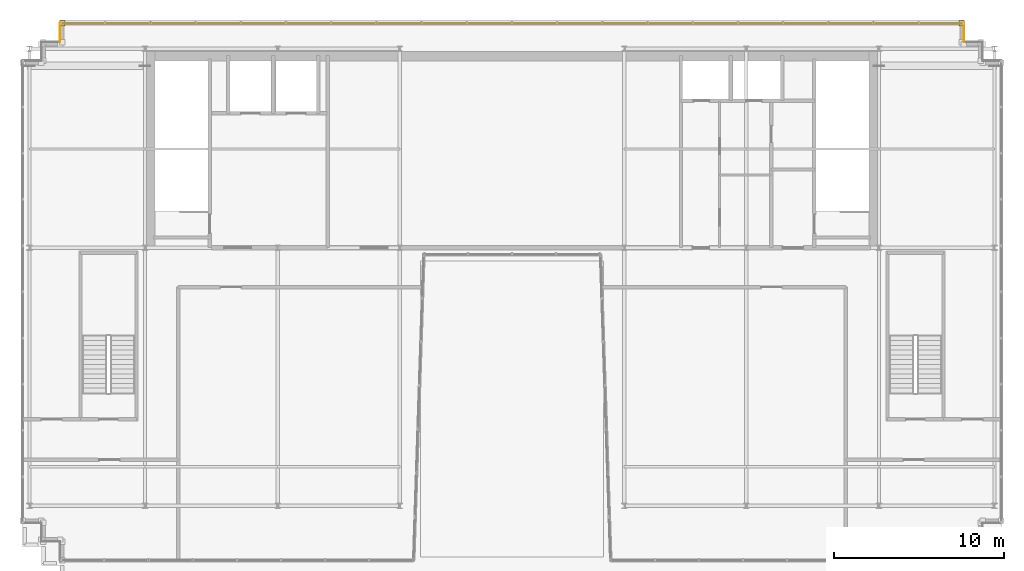
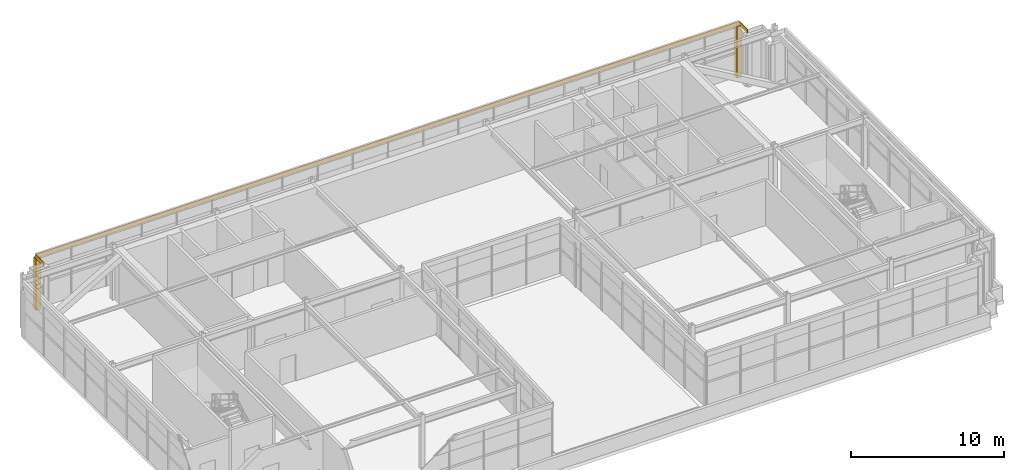
# One storey, part 37 of 37: 5 coverings.
"""IFC4 building model written with IfcOpenShell, lengths in metres."""

from ifc_helpers import new_model, si_unit, direction, frame, origin, origin_2d, place, context, subcontext, project, spatial, rectangle, extrude, source, transform, mapped, material, layer, layer_set, type_object, element, save


model = new_model("IFC4")

# Units and contexts
model_context = context("Model", 3, precision=1e-05, world=origin(), true_north=direction((0.0, 1.0)))
body_context = subcontext(model_context, "Body", "Model", "MODEL_VIEW")
ifc_project = project(units=[si_unit("LENGTHUNIT", "METRE"), si_unit("AREAUNIT", "SQUARE_METRE"), si_unit("VOLUMEUNIT", "CUBIC_METRE"), si_unit("PLANEANGLEUNIT", "RADIAN"), si_unit("MASSUNIT", "GRAM", prefix="KILO")], contexts=[model_context])

# Site, building, storey
site_placement = place(None, origin())
site = spatial("IfcSite", under=ifc_project, at=site_placement, CompositionType="ELEMENT")
building_placement = place(site_placement, origin())
building = spatial("IfcBuilding", under=site, at=building_placement, Name="Trelvane Seafront Commons", CompositionType="ELEMENT")
storey_placement = place(building_placement, frame((0.0, 0.0, 303.5)))
storey = spatial("IfcBuildingStorey", under=building, at=storey_placement, Name="L79", CompositionType="ELEMENT", Elevation=303.5)

# Coverings
ifc_material = material(Name="Anodised pale-silver aluminium", Category="aluminium")
ifc_layer = layer(ifc_material, 0.034912109375, Name="ARCH-COV-CLAD35")
ifc_layer_set = layer_set([ifc_layer], Name="Anodised pale-silver aluminium")
covering_type = type_object("IfcCoveringType", Name="ARCH-COV-CLAD35", PredefinedType="CLADDING", material=ifc_layer_set)
shared_shape_1 = source(origin(), body_context, "Body", "SweptSolid", [
    extrude(rectangle(XDim=0.320068359375, YDim=0.320068359375, at=origin_2d()), origin(), (0.0, 0.0, 1.0), 4.10009765625),
])
for number, where, z_axis, x_axis, name in (
    (1, (10.719970703125, 46.60009765625, 0.0), (0.0, 0.0, 1.0), (1.0, 0.0, 0.0), "CLD-CP-L79-00387"),
    (2, (63.679931640625, 46.60009765625, 0.0), (0.0, 0.0, 1.0), (1.0, 0.0, 0.0), "CLD-CP-L79-00390"),
):
    element("IfcCovering", number, at=place(storey_placement, frame(where, z_axis=z_axis, x_axis=x_axis)), inside=storey, type_object=covering_type, Name=name, PredefinedType="CLADDING", context=body_context, shape_type="MappedRepresentation", body=[
        mapped(shared_shape_1, transform((0.0, 0.0, 0.0), x_axis=(1.0, 0.0, 0.0), y_axis=(0.0, 1.0, 0.0), z_axis=(0.0, 0.0, 1.0), scale=1.0)),
    ])
shared_shape_2 = source(origin(), body_context, "Body", "SweptSolid", [
    extrude(rectangle(XDim=1.10009765625, YDim=0.034912109375, at=origin_2d()), origin(), (0.0, 0.0, 1.0), 0.35009765625),
])
for number, where, z_axis, x_axis, name in (
    (3, (10.60009765625, 46.050048828125, 4.050048828125), (0.0, 0.0, 1.0), (0.0, 1.0, 0.0), "CLD-L79-0388"),
    (4, (63.800048828125, 46.050048828125, 4.050048828125), (0.0, 0.0, 1.0), (0.0, -1.0, 0.0), "CLD-L79-0392"),
):
    element("IfcCovering", number, at=place(storey_placement, frame(where, z_axis=z_axis, x_axis=x_axis)), inside=storey, type_object=covering_type, Name=name, PredefinedType="CLADDING", context=body_context, shape_type="MappedRepresentation", body=[
        mapped(shared_shape_2, transform((0.0, 0.0, 0.0), x_axis=(1.0, 0.0, 0.0), y_axis=(0.0, 1.0, 0.0), z_axis=(0.0, 0.0, 1.0), scale=1.0)),
    ])
shared_shape_3 = source(origin(), body_context, "Body", "SweptSolid", [
    extrude(rectangle(XDim=53.199951171875, YDim=0.034912109375, at=origin_2d()), origin(), (0.0, 0.0, 1.0), 0.35009765625),
])
covering_placement = place(storey_placement, frame((37.199951171875, 46.60009765625, 4.050048828125), z_axis=(0.0, 0.0, 1.0), x_axis=(1.0, 0.0, 0.0)))
element("IfcCovering", 5, at=covering_placement, inside=storey, type_object=covering_type, Name="CLD-L79-0389", PredefinedType="CLADDING", context=body_context, shape_type="MappedRepresentation", body=[
    mapped(shared_shape_3, transform((0.0, 0.0, 0.0), x_axis=(1.0, 0.0, 0.0), y_axis=(0.0, 1.0, 0.0), z_axis=(0.0, 0.0, 1.0), scale=1.0)),
])

save(model, "model.ifc")
